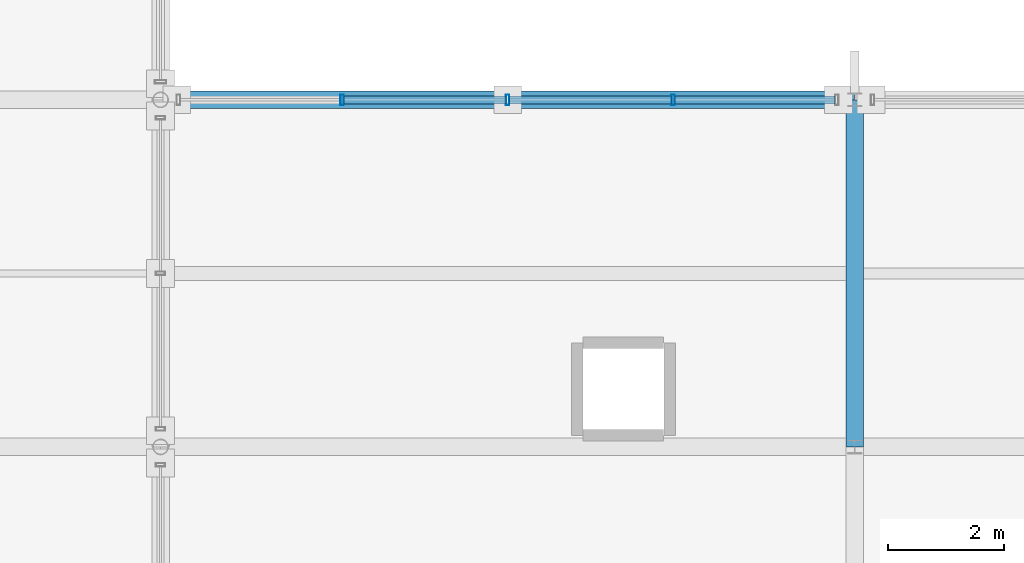
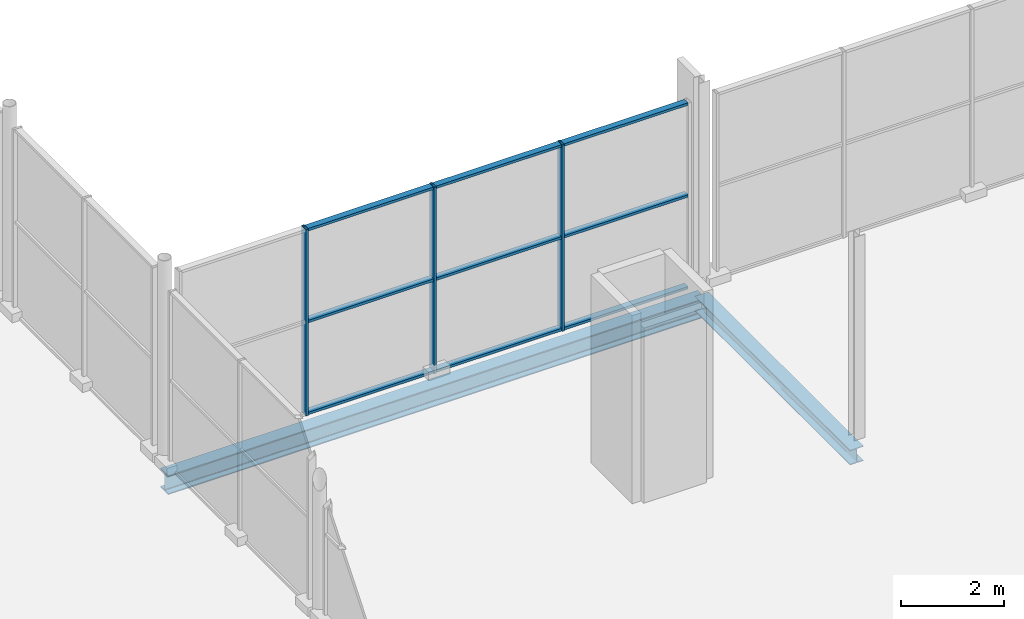
# One storey, part 58 of 159: 12 members, 2 beams, 1 element without a shape of its own.
"""IFC4 building model written with IfcOpenShell, lengths in metres."""

from ifc_helpers import new_model, si_unit, direction, frame, origin, origin_2d, place, context, subcontext, project, spatial, hollow_rectangle, i_section, extrude, material, material_profile, profile_set, type_object, element, aggregate, save


model = new_model("IFC4")

# Units and contexts
model_context = context("Model", 3, precision=1e-05, world=origin(), true_north=direction((0.0, 1.0)))
body_context = subcontext(model_context, "Body", "Model", "MODEL_VIEW")
ifc_project = project(units=[si_unit("LENGTHUNIT", "METRE"), si_unit("AREAUNIT", "SQUARE_METRE"), si_unit("VOLUMEUNIT", "CUBIC_METRE"), si_unit("PLANEANGLEUNIT", "RADIAN"), si_unit("MASSUNIT", "GRAM", prefix="KILO")], contexts=[model_context])

# Site, building, storey
site_placement = place(None, origin())
site = spatial("IfcSite", under=ifc_project, at=site_placement, CompositionType="ELEMENT")
building_placement = place(site_placement, origin())
building = spatial("IfcBuilding", under=site, at=building_placement, Name="Merenkruunu Market Hall", CompositionType="ELEMENT")
storey_placement = place(building_placement, frame((0.0, 0.0, 5.39990234375)))
storey = spatial("IfcBuildingStorey", under=building, at=storey_placement, Name="L01", CompositionType="ELEMENT", Elevation=5.39990234375)

# Curtain wall, members
ifc_material_1 = material(Name="Powder-coated aluminium", Category="aluminium")
curtain_wall_type = type_object("IfcCurtainWallType", Name="Glazed Curtain Wall CW05", PredefinedType="USERDEFINED", material=ifc_material_1)
curtain_wall_placement = place(storey_placement, origin())
curtain_wall = element("IfcCurtainWall", 1, at=curtain_wall_placement, inside=storey, type_object=curtain_wall_type, Name="CW-L01-CWM02-183", ObjectType="GLAZED_FACADE", PredefinedType="USERDEFINED")
ifc_material_profile_1 = material_profile(ifc_material_1, hollow_rectangle(XDim=0.06005859375, YDim=0.179931640625, WallThickness=0.00390625, at=origin_2d()), Name="ALU 60x180x4")
ifc_profile_set_1 = profile_set([ifc_material_profile_1], Name="Powder-coated aluminium")
member_type_1 = type_object("IfcMemberType", Name="Curtain Wall Mullion CWM02", PredefinedType="MULLION", material=ifc_profile_set_1)
member_1_placement = place(storey_placement, frame((79.93994140625, 45.60009765625, 0.0), z_axis=(0.0, 0.0, 1.0), x_axis=(1.0, 0.0, 0.0)))
member_1 = element("IfcMember", 2, at=member_1_placement, type_object=member_type_1, Name="CW05 mullion 2", PredefinedType="MULLION", context=body_context, shape_type="SweptSolid", body=[
    extrude(hollow_rectangle(XDim=0.06005859375, YDim=0.179931640625, WallThickness=0.00390625, at=origin_2d()), origin(), (0.0, 0.0, 1.0), 4.400146484375),
])
member_2_placement = place(storey_placement, frame((82.800048828125, 45.60009765625, 0.0), z_axis=(0.0, 0.0, 1.0), x_axis=(1.0, 0.0, 0.0)))
member_2 = element("IfcMember", 3, at=member_2_placement, type_object=member_type_1, Name="CW05 mullion 3", PredefinedType="MULLION", context=body_context, shape_type="SweptSolid", body=[
    extrude(hollow_rectangle(XDim=0.06005859375, YDim=0.179931640625, WallThickness=0.00390625, at=origin_2d()), origin(), (0.0, 0.0, 1.0), 4.400146484375),
])
member_3_placement = place(storey_placement, frame((85.659912109375, 45.60009765625, 0.0), z_axis=(0.0, 0.0, 1.0), x_axis=(1.0, 0.0, 0.0)))
member_3 = element("IfcMember", 4, at=member_3_placement, type_object=member_type_1, Name="CW05 mullion 4", PredefinedType="MULLION", context=body_context, shape_type="SweptSolid", body=[
    extrude(hollow_rectangle(XDim=0.06005859375, YDim=0.179931640625, WallThickness=0.00390625, at=origin_2d()), origin(), (0.0, 0.0, 1.0), 4.400146484375),
])
ifc_material_profile_2 = material_profile(ifc_material_1, hollow_rectangle(XDim=0.06005859375, YDim=0.139892578125, WallThickness=0.00390625, at=origin_2d()), Name="ALU 60x140x4")
ifc_profile_set_2 = profile_set([ifc_material_profile_2], Name="Powder-coated aluminium")
member_type_2 = type_object("IfcMemberType", Name="Curtain Wall Transom CWT02", PredefinedType="USERDEFINED", material=ifc_profile_set_2)
member_4_placement = place(storey_placement, frame((79.969970703125, 45.60009765625, 0.030029296875), z_axis=(1.0, 0.0, 0.0), x_axis=(0.0, 0.0, 1.0)))
member_4 = element("IfcMember", 5, at=member_4_placement, type_object=member_type_2, Name="CW05 transom 2.1", ObjectType="TRANSOM", PredefinedType="USERDEFINED", context=body_context, shape_type="SweptSolid", body=[
    extrude(hollow_rectangle(XDim=0.06005859375, YDim=0.139892578125, WallThickness=0.00390625, at=origin_2d()), origin(), (0.0, 0.0, 1.0), 2.800048828125),
])
member_5_placement = place(storey_placement, frame((79.969970703125, 45.60009765625, 2.2001953125), z_axis=(1.0, 0.0, 0.0), x_axis=(0.0, 0.0, 1.0)))
member_5 = element("IfcMember", 6, at=member_5_placement, type_object=member_type_2, Name="CW05 transom 2.2", ObjectType="TRANSOM", PredefinedType="USERDEFINED", context=body_context, shape_type="SweptSolid", body=[
    extrude(hollow_rectangle(XDim=0.06005859375, YDim=0.139892578125, WallThickness=0.00390625, at=origin_2d()), origin(), (0.0, 0.0, 1.0), 2.800048828125),
])
member_6_placement = place(storey_placement, frame((79.969970703125, 45.60009765625, 4.3701171875), z_axis=(1.0, 0.0, 0.0), x_axis=(0.0, 0.0, 1.0)))
member_6 = element("IfcMember", 7, at=member_6_placement, type_object=member_type_2, Name="CW05 transom 2.3", ObjectType="TRANSOM", PredefinedType="USERDEFINED", context=body_context, shape_type="SweptSolid", body=[
    extrude(hollow_rectangle(XDim=0.06005859375, YDim=0.139892578125, WallThickness=0.00390625, at=origin_2d()), origin(), (0.0, 0.0, 1.0), 2.800048828125),
])
member_7_placement = place(storey_placement, frame((82.830078125, 45.60009765625, 0.030029296875), z_axis=(1.0, 0.0, 0.0), x_axis=(0.0, 0.0, 1.0)))
member_7 = element("IfcMember", 8, at=member_7_placement, type_object=member_type_2, Name="CW05 transom 3.1", ObjectType="TRANSOM", PredefinedType="USERDEFINED", context=body_context, shape_type="SweptSolid", body=[
    extrude(hollow_rectangle(XDim=0.06005859375, YDim=0.139892578125, WallThickness=0.00390625, at=origin_2d()), origin(), (0.0, 0.0, 1.0), 2.7998046875),
])
member_8_placement = place(storey_placement, frame((82.830078125, 45.60009765625, 2.2001953125), z_axis=(1.0, 0.0, 0.0), x_axis=(0.0, 0.0, 1.0)))
member_8 = element("IfcMember", 9, at=member_8_placement, type_object=member_type_2, Name="CW05 transom 3.2", ObjectType="TRANSOM", PredefinedType="USERDEFINED", context=body_context, shape_type="SweptSolid", body=[
    extrude(hollow_rectangle(XDim=0.06005859375, YDim=0.139892578125, WallThickness=0.00390625, at=origin_2d()), origin(), (0.0, 0.0, 1.0), 2.7998046875),
])
member_9_placement = place(storey_placement, frame((82.830078125, 45.60009765625, 4.3701171875), z_axis=(1.0, 0.0, 0.0), x_axis=(0.0, 0.0, 1.0)))
member_9 = element("IfcMember", 10, at=member_9_placement, type_object=member_type_2, Name="CW05 transom 3.3", ObjectType="TRANSOM", PredefinedType="USERDEFINED", context=body_context, shape_type="SweptSolid", body=[
    extrude(hollow_rectangle(XDim=0.06005859375, YDim=0.139892578125, WallThickness=0.00390625, at=origin_2d()), origin(), (0.0, 0.0, 1.0), 2.7998046875),
])
member_10_placement = place(storey_placement, frame((85.68994140625, 45.60009765625, 0.030029296875), z_axis=(1.0, 0.0, 0.0), x_axis=(0.0, 0.0, 1.0)))
member_10 = element("IfcMember", 11, at=member_10_placement, type_object=member_type_2, Name="CW05 transom 4.1", ObjectType="TRANSOM", PredefinedType="USERDEFINED", context=body_context, shape_type="SweptSolid", body=[
    extrude(hollow_rectangle(XDim=0.06005859375, YDim=0.139892578125, WallThickness=0.00390625, at=origin_2d()), origin(), (0.0, 0.0, 1.0), 2.77001953125),
])
member_11_placement = place(storey_placement, frame((85.68994140625, 45.60009765625, 2.2001953125), z_axis=(1.0, 0.0, 0.0), x_axis=(0.0, 0.0, 1.0)))
member_11 = element("IfcMember", 12, at=member_11_placement, type_object=member_type_2, Name="CW05 transom 4.2", ObjectType="TRANSOM", PredefinedType="USERDEFINED", context=body_context, shape_type="SweptSolid", body=[
    extrude(hollow_rectangle(XDim=0.06005859375, YDim=0.139892578125, WallThickness=0.00390625, at=origin_2d()), origin(), (0.0, 0.0, 1.0), 2.77001953125),
])
member_12_placement = place(storey_placement, frame((85.68994140625, 45.60009765625, 4.3701171875), z_axis=(1.0, 0.0, 0.0), x_axis=(0.0, 0.0, 1.0)))
member_12 = element("IfcMember", 13, at=member_12_placement, type_object=member_type_2, Name="CW05 transom 4.3", ObjectType="TRANSOM", PredefinedType="USERDEFINED", context=body_context, shape_type="SweptSolid", body=[
    extrude(hollow_rectangle(XDim=0.06005859375, YDim=0.139892578125, WallThickness=0.00390625, at=origin_2d()), origin(), (0.0, 0.0, 1.0), 2.77001953125),
])
aggregate(curtain_wall, [member_1, member_2, member_3, member_4, member_5, member_6, member_7, member_8, member_9, member_10, member_11, member_12])

# Beams
ifc_material_2 = material(Name="Steel S355J2", Category="steel")
ifc_material_profile_3 = material_profile(ifc_material_2, i_section(OverallWidth=0.300048828125, OverallDepth=0.449951171875, WebThickness=0.013916015625, FlangeThickness=0.02587890625, FilletRadius=0.027099609375, at=origin_2d()), Name="HEB 450")
ifc_profile_set_3 = profile_set([ifc_material_profile_3], Name="Steel S355J2")
beam_type_1 = type_object("IfcBeamType", Name="Primary Floor Girder B03", PredefinedType="BEAM", material=ifc_profile_set_3)
beam_1_placement = place(storey_placement, frame((76.800048828125, 45.60009765625, -0.5048828125), z_axis=(1.0, 0.0, 0.0), x_axis=(0.0, 1.0, 0.0)))
element("IfcBeam", 14, at=beam_1_placement, inside=storey, type_object=beam_type_1, Name="BM-L01-B03-0509", PredefinedType="BEAM", context=body_context, shape_type="SweptSolid", body=[
    extrude(i_section(OverallWidth=0.300048828125, OverallDepth=0.449951171875, WebThickness=0.013916015625, FlangeThickness=0.02587890625, FilletRadius=0.027099609375, at=origin_2d()), origin(), (0.0, 0.0, 1.0), 12.0),
])
ifc_material_profile_4 = material_profile(ifc_material_2, i_section(OverallWidth=0.300048828125, OverallDepth=0.35009765625, WebThickness=0.010009765625, FlangeThickness=0.017578125, FilletRadius=0.027099609375, at=origin_2d()), Name="HEA 360")
ifc_profile_set_4 = profile_set([ifc_material_profile_4], Name="Steel S355J2")
beam_type_2 = type_object("IfcBeamType", Name="Primary Floor Girder B08", PredefinedType="BEAM", material=ifc_profile_set_4)
beam_2_placement = place(storey_placement, frame((88.800048828125, 39.60009765625, -0.454833984375), z_axis=(0.0, 1.0, 0.0), x_axis=(-1.0, 0.0, 0.0)))
element("IfcBeam", 15, at=beam_2_placement, inside=storey, type_object=beam_type_2, Name="BM-L01-B08-0606", PredefinedType="BEAM", context=body_context, shape_type="SweptSolid", body=[
    extrude(i_section(OverallWidth=0.300048828125, OverallDepth=0.35009765625, WebThickness=0.010009765625, FlangeThickness=0.017578125, FilletRadius=0.027099609375, at=origin_2d()), origin(), (0.0, 0.0, 1.0), 6.0),
])

save(model, "model.ifc")
